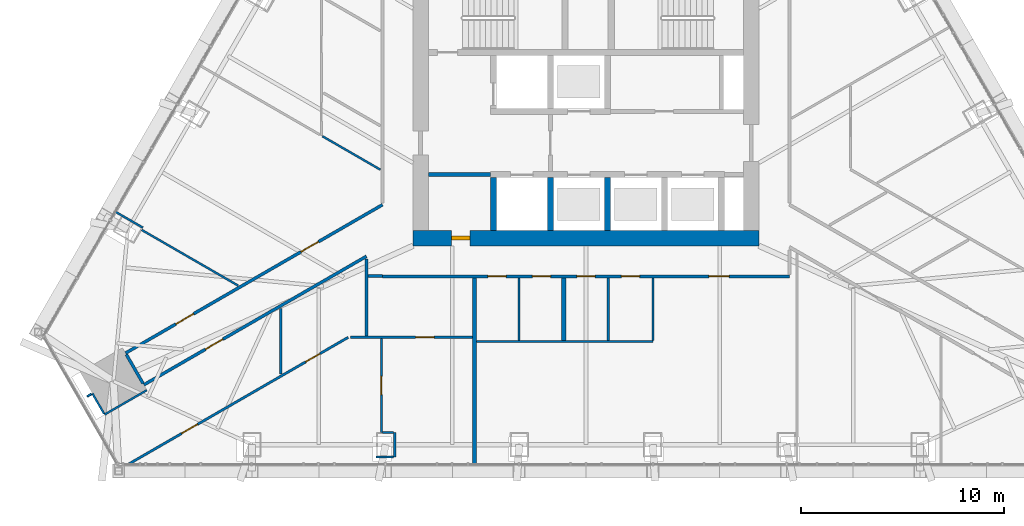
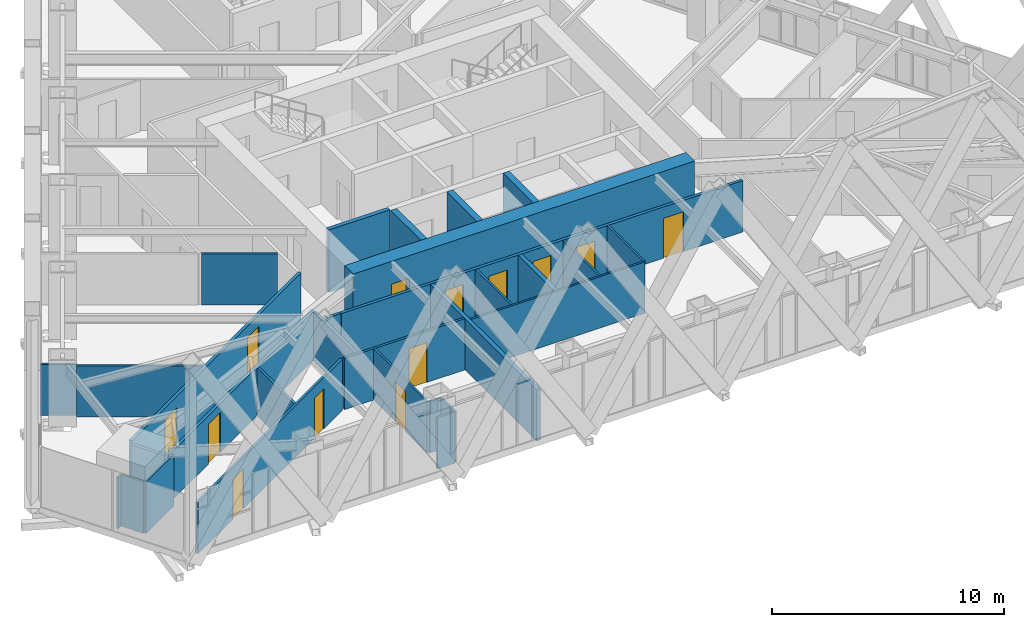
# One storey, part 20 of 25: 30 walls, 13 doors, 13 openings.
"""IFC4 building model written with IfcOpenShell, lengths in metres."""

from ifc_helpers import new_model, si_unit, direction, frame, frame_2d, origin, place, context, subcontext, project, spatial, rectangle, extrude, material, layer, layer_set, type_object, element, fill, save


model = new_model("IFC4")

# Units and contexts
model_context = context("Model", 3, precision=1e-05, world=origin(), true_north=direction((0.0, 1.0)))
body_context = subcontext(model_context, "Body", "Model", "MODEL_VIEW")
ifc_project = project(units=[si_unit("LENGTHUNIT", "METRE"), si_unit("AREAUNIT", "SQUARE_METRE"), si_unit("VOLUMEUNIT", "CUBIC_METRE"), si_unit("PLANEANGLEUNIT", "RADIAN"), si_unit("MASSUNIT", "GRAM", prefix="KILO")], contexts=[model_context])

# Site, building, storey
site_placement = place(None, origin())
site = spatial("IfcSite", under=ifc_project, at=site_placement, CompositionType="ELEMENT")
building_placement = place(site_placement, origin())
building = spatial("IfcBuilding", under=site, at=building_placement, Name="Firuza Gate Tower and Library", CompositionType="ELEMENT")
storey_placement = place(building_placement, frame((0.0, 0.0, 270.60009765625)))
storey = spatial("IfcBuildingStorey", under=building, at=storey_placement, Name="L64", CompositionType="ELEMENT", Elevation=270.60009765625)

# Walls
ifc_material_1 = material(Name="Plasterboard on steel studs", Category="steel")
ifc_layer_1 = layer(ifc_material_1, 0.199951171875)
ifc_layer_set_1 = layer_set([ifc_layer_1], Name="Core partition 200 EI 60")
wall_type_1 = type_object("IfcWallType", Name="Core partition 200 EI 60", PredefinedType="PARTITIONING", material=ifc_layer_set_1)
wall_1_placement = place(storey_placement, frame((67.25, 71.75, 0.0), z_axis=(0.0, 0.0, 1.0), x_axis=(1.0, 0.0, 0.0)))
element("IfcWall", 1, at=wall_1_placement, inside=storey, type_object=wall_type_1, Name="Core partition L64 1", PredefinedType="PARTITIONING", context=body_context, shape_type="SweptSolid", body=[
    extrude(rectangle(XDim=3.050048828125, YDim=0.199951171875, at=frame_2d((1.52490234375, 0.0))), origin(), (0.0, 0.0, 1.0), 3.2998046875),
])
ifc_material_2 = material(Name="Concrete C60/75", Category="concrete")
ifc_layer_2 = layer(ifc_material_2, 0.300048828125)
ifc_layer_set_2 = layer_set([ifc_layer_2], Name="Core wall 300 C60/75")
wall_type_2 = type_object("IfcWallType", Name="Core wall 300 C60/75", PredefinedType="SHEAR", material=ifc_layer_set_2)
for number, where, z_axis, x_axis, name in (
    (2, (70.449951171875, 69.0, 0.0), (0.0, 0.0, 1.0), (0.0, 1.0, 0.0), "Core wall L64 7"),
    (3, (73.25, 69.0, 0.0), (0.0, 0.0, 1.0), (0.0, 1.0, 0.0), "Core wall L64 9"),
    (4, (76.050048828125, 69.0, 0.0), (0.0, 0.0, 1.0), (0.0, 1.0, 0.0), "Core wall L64 11"),
):
    element("IfcWall", number, at=place(storey_placement, frame(where, z_axis=z_axis, x_axis=x_axis)), inside=storey, type_object=wall_type_2, Name=name, PredefinedType="SHEAR", context=body_context, shape_type="SweptSolid", body=[
        extrude(rectangle(XDim=2.60009765625, YDim=0.300048828125, at=frame_2d((1.300048828125, 0.0))), origin(), (0.0, 0.0, 1.0), 3.2998046875),
    ])

# Wall, opening, door
ifc_material_3 = material(Name="Concrete C60/75", Category="concrete")
ifc_layer_3 = layer(ifc_material_3, 0.75)
ifc_layer_set_3 = layer_set([ifc_layer_3], Name="Core wall 750 C60/75")
wall_type_3 = type_object("IfcWallType", Name="Core wall 750 C60/75", PredefinedType="SHEAR", material=ifc_layer_set_3)
wall_2_placement = place(storey_placement, frame((66.5, 68.625, 0.0), z_axis=(0.0, 0.0, 1.0), x_axis=(1.0, 0.0, 0.0)))
wall_2 = element("IfcWall", 5, at=wall_2_placement, inside=storey, type_object=wall_type_3, Name="Core wall L64 1", PredefinedType="SHEAR", context=body_context, shape_type="SweptSolid", body=[
    extrude(rectangle(XDim=17.0, YDim=0.75, at=frame_2d((8.5, 0.0))), origin(), (0.0, 0.0, 1.0), 3.2998046875),
])
opening_1_placement = place(wall_2_placement, frame((1.89990234375, 0.0, 0.0)))
opening_1 = element("IfcOpeningElement", 6, at=opening_1_placement, cuts=wall_2, Name="Opening L64-K17", PredefinedType="OPENING", context=body_context, shape_type="SweptSolid", body=[
    extrude(rectangle(XDim=0.89990234375, YDim=2.10009765625, at=frame_2d((0.449951171875, 1.050048828125))), frame((0.0, 0.385009765625, 0.0), z_axis=(0.0, -1.0, 0.0), x_axis=(1.0, 0.0, 0.0)), (0.0, 0.0, 1.0), 0.77001953125),
])
ifc_material_4 = material(Name="Steel", Category="steel")
door_type_1 = type_object("IfcDoorType", Name="Fire door 900x2100 FD30S", OperationType="NOTDEFINED", PredefinedType="DOOR", material=ifc_material_4)
door_1_placement = place(opening_1_placement, origin())
door_1 = element("IfcDoor", 7, at=door_1_placement, inside=storey, type_object=door_type_1, Name="Door L64-K17", OperationType="SINGLE_SWING_RIGHT", OverallHeight=2.10009765625, OverallWidth=0.89990234375, PredefinedType="DOOR", context=body_context, shape_type="SweptSolid", body=[
    extrude(rectangle(XDim=0.89990234375, YDim=2.10009765625, at=frame_2d((0.449951171875, 1.050048828125))), frame((0.0, 0.094970703125, 0.0), z_axis=(0.0, -1.0, 0.0), x_axis=(1.0, 0.0, 0.0)), (0.0, 0.0, 1.0), 0.18994140625),
])
fill(opening_1, door_1)

# Wall, openings, doors
ifc_material_5 = material(Name="Gypsum board partition")
ifc_layer_4 = layer(ifc_material_5, 0.14990234375)
ifc_layer_set_4 = layer_set([ifc_layer_4], Name="Corridor wall 150 double board on steel studs")
wall_type_4 = type_object("IfcWallType", Name="Corridor wall 150 double board on steel studs", PredefinedType="PARTITIONING", material=ifc_layer_set_4)
wall_3_placement = place(storey_placement, frame((84.99951171875, 66.75, 0.0), z_axis=(0.0, 0.0, 1.0), x_axis=(-1.0, 0.0, 0.0)))
wall_3 = element("IfcWall", 8, at=wall_3_placement, inside=storey, type_object=wall_type_4, Name="f:L64:w004", PredefinedType="PARTITIONING", context=body_context, shape_type="SweptSolid", body=[
    extrude(rectangle(XDim=19.9990234375, YDim=0.14990234375, at=frame_2d((9.99951171875, 0.0))), origin(), (0.0, 0.0, 1.0), 2.699951171875),
])
opening_2_placement = place(wall_3_placement, frame((2.9599609375, 0.0, 0.0)))
opening_2 = element("IfcOpeningElement", 9, at=opening_2_placement, cuts=wall_3, Name="Opening L64-02", PredefinedType="OPENING", context=body_context, shape_type="SweptSolid", body=[
    extrude(rectangle(XDim=1.0, YDim=2.10009765625, at=frame_2d((0.5, 1.050048828125))), frame((0.0, 0.0849609375, 0.0), z_axis=(0.0, -1.0, 0.0), x_axis=(1.0, 0.0, 0.0)), (0.0, 0.0, 1.0), 0.169921875),
])
opening_3_placement = place(wall_3_placement, frame((7.361083984375, 0.0, 0.0)))
opening_3 = element("IfcOpeningElement", 10, at=opening_3_placement, cuts=wall_3, Name="Opening L64-03", PredefinedType="OPENING", context=body_context, shape_type="SweptSolid", body=[
    extrude(rectangle(XDim=0.89990234375, YDim=2.10009765625, at=frame_2d((0.449951171875, 1.050048828125))), frame((0.0, 0.0849609375, 0.0), z_axis=(0.0, -1.0, 0.0), x_axis=(1.0, 0.0, 0.0)), (0.0, 0.0, 1.0), 0.169921875),
])
opening_4_placement = place(wall_3_placement, frame((9.549560546875, 0.0, 0.0)))
opening_4 = element("IfcOpeningElement", 11, at=opening_4_placement, cuts=wall_3, Name="Opening L64-04", PredefinedType="OPENING", context=body_context, shape_type="SweptSolid", body=[
    extrude(rectangle(XDim=0.89990234375, YDim=2.10009765625, at=frame_2d((0.449951171875, 1.050048828125))), frame((0.0, 0.0849609375, 0.0), z_axis=(0.0, -1.0, 0.0), x_axis=(1.0, 0.0, 0.0)), (0.0, 0.0, 1.0), 0.169921875),
])
opening_5_placement = place(wall_3_placement, frame((11.738037109375, 0.0, 0.0)))
opening_5 = element("IfcOpeningElement", 12, at=opening_5_placement, cuts=wall_3, Name="Opening L64-05", PredefinedType="OPENING", context=body_context, shape_type="SweptSolid", body=[
    extrude(rectangle(XDim=0.89990234375, YDim=2.10009765625, at=frame_2d((0.449951171875, 1.050048828125))), frame((0.0, 0.0849609375, 0.0), z_axis=(0.0, -1.0, 0.0), x_axis=(1.0, 0.0, 0.0)), (0.0, 0.0, 1.0), 0.169921875),
])
opening_6_placement = place(wall_3_placement, frame((13.92626953125, 0.0, 0.0)))
opening_6 = element("IfcOpeningElement", 13, at=opening_6_placement, cuts=wall_3, Name="Opening L64-06", PredefinedType="OPENING", context=body_context, shape_type="SweptSolid", body=[
    extrude(rectangle(XDim=0.89990234375, YDim=2.10009765625, at=frame_2d((0.449951171875, 1.050048828125))), frame((0.0, 0.0849609375, 0.0), z_axis=(0.0, -1.0, 0.0), x_axis=(1.0, 0.0, 0.0)), (0.0, 0.0, 1.0), 0.169921875),
])
ifc_material_6 = material(Name="Steel door and timber leaf", Category="steel")
door_type_2 = type_object("IfcDoorType", Name="Fire door 1000 x 2100 steel frame, timber leaf", OperationType="NOTDEFINED", PredefinedType="DOOR", material=ifc_material_6)
door_2_placement = place(opening_2_placement, origin())
door_2 = element("IfcDoor", 14, at=door_2_placement, inside=storey, type_object=door_type_2, Name="f:L64:d002", OperationType="SINGLE_SWING_LEFT", OverallHeight=2.10009765625, OverallWidth=1.0, PredefinedType="DOOR", context=body_context, shape_type="SweptSolid", body=[
    extrude(rectangle(XDim=1.0, YDim=2.10009765625, at=frame_2d((0.5, 1.050048828125))), frame((0.0, 0.02490234375, 0.0), z_axis=(0.0, -1.0, 0.0), x_axis=(1.0, 0.0, 0.0)), (0.0, 0.0, 1.0), 0.050048828125),
])
fill(opening_2, door_2)
ifc_material_7 = material(Name="Steel door and timber leaf", Category="steel")
door_type_3 = type_object("IfcDoorType", Name="Fire door 900 x 2100 steel frame, timber leaf", OperationType="NOTDEFINED", PredefinedType="DOOR", material=ifc_material_7)
door_3_placement = place(opening_3_placement, origin())
door_3 = element("IfcDoor", 15, at=door_3_placement, inside=storey, type_object=door_type_3, Name="f:L64:d003", OperationType="SINGLE_SWING_RIGHT", OverallHeight=2.10009765625, OverallWidth=0.89990234375, PredefinedType="DOOR", context=body_context, shape_type="SweptSolid", body=[
    extrude(rectangle(XDim=0.89990234375, YDim=2.10009765625, at=frame_2d((0.449951171875, 1.050048828125))), frame((0.0, 0.02490234375, 0.0), z_axis=(0.0, -1.0, 0.0), x_axis=(1.0, 0.0, 0.0)), (0.0, 0.0, 1.0), 0.050048828125),
])
fill(opening_3, door_3)
door_4_placement = place(opening_4_placement, origin())
door_4 = element("IfcDoor", 16, at=door_4_placement, inside=storey, type_object=door_type_3, Name="f:L64:d004", OperationType="SINGLE_SWING_LEFT", OverallHeight=2.10009765625, OverallWidth=0.89990234375, PredefinedType="DOOR", context=body_context, shape_type="SweptSolid", body=[
    extrude(rectangle(XDim=0.89990234375, YDim=2.10009765625, at=frame_2d((0.449951171875, 1.050048828125))), frame((0.0, 0.02490234375, 0.0), z_axis=(0.0, -1.0, 0.0), x_axis=(1.0, 0.0, 0.0)), (0.0, 0.0, 1.0), 0.050048828125),
])
fill(opening_4, door_4)
door_5_placement = place(opening_5_placement, origin())
door_5 = element("IfcDoor", 17, at=door_5_placement, inside=storey, type_object=door_type_3, Name="f:L64:d005", OperationType="SINGLE_SWING_RIGHT", OverallHeight=2.10009765625, OverallWidth=0.89990234375, PredefinedType="DOOR", context=body_context, shape_type="SweptSolid", body=[
    extrude(rectangle(XDim=0.89990234375, YDim=2.10009765625, at=frame_2d((0.449951171875, 1.050048828125))), frame((0.0, 0.02490234375, 0.0), z_axis=(0.0, -1.0, 0.0), x_axis=(1.0, 0.0, 0.0)), (0.0, 0.0, 1.0), 0.050048828125),
])
fill(opening_5, door_5)
door_6_placement = place(opening_6_placement, origin())
door_6 = element("IfcDoor", 18, at=door_6_placement, inside=storey, type_object=door_type_3, Name="f:L64:d006", OperationType="SINGLE_SWING_LEFT", OverallHeight=2.10009765625, OverallWidth=0.89990234375, PredefinedType="DOOR", context=body_context, shape_type="SweptSolid", body=[
    extrude(rectangle(XDim=0.89990234375, YDim=2.10009765625, at=frame_2d((0.449951171875, 1.050048828125))), frame((0.0, 0.02490234375, 0.0), z_axis=(0.0, -1.0, 0.0), x_axis=(1.0, 0.0, 0.0)), (0.0, 0.0, 1.0), 0.050048828125),
])
fill(opening_6, door_6)

# Wall
wall_4_placement = place(storey_placement, frame((64.294921875, 66.76904296875, 0.0), z_axis=(0.0, 0.0, 1.0), x_axis=(1.0, 0.0, 0.0)))
element("IfcWall", 19, at=wall_4_placement, inside=storey, type_object=wall_type_4, Name="f:L64:w005", PredefinedType="PARTITIONING", context=body_context, shape_type="SweptSolid", body=[
    extrude(rectangle(XDim=0.705078125, YDim=0.14990234375, at=frame_2d((0.3525390625, 0.0))), origin(), (0.0, 0.0, 1.0), 2.699951171875),
])

# Wall, opening, door
wall_5_placement = place(storey_placement, frame((64.209716796875, 67.731201171875, 0.0), z_axis=(0.0, 0.0, 1.0), x_axis=(-0.866027247007, -0.499996807431, 0.0)))
wall_5 = element("IfcWall", 20, at=wall_5_placement, inside=storey, type_object=wall_type_4, Name="f:L64:w021", PredefinedType="PARTITIONING", context=body_context, shape_type="SweptSolid", body=[
    extrude(rectangle(XDim=12.6328125, YDim=0.14990234375, at=frame_2d((6.31640625, 0.0))), origin(), (0.0, 0.0, 1.0), 2.546875),
])
opening_7_placement = place(wall_5_placement, frame((8.142578125, 0.0, 0.0)))
opening_7 = element("IfcOpeningElement", 21, at=opening_7_placement, cuts=wall_5, Name="Opening L64-15", PredefinedType="OPENING", context=body_context, shape_type="SweptSolid", body=[
    extrude(rectangle(XDim=1.0, YDim=2.10009765625, at=frame_2d((0.5, 1.050048828125))), frame((0.0, 0.0849609375, 0.0), z_axis=(0.0, -1.0, 0.0), x_axis=(1.0, 0.0, 0.0)), (0.0, 0.0, 1.0), 0.169921875),
])
door_7_placement = place(opening_7_placement, origin())
door_7 = element("IfcDoor", 22, at=door_7_placement, inside=storey, type_object=door_type_2, Name="f:L64:d015", OperationType="SINGLE_SWING_LEFT", OverallHeight=2.10009765625, OverallWidth=1.0, PredefinedType="DOOR", context=body_context, shape_type="SweptSolid", body=[
    extrude(rectangle(XDim=1.0, YDim=2.10009765625, at=frame_2d((0.5, 1.050048828125))), frame((0.0, 0.02490234375, 0.0), z_axis=(0.0, -1.0, 0.0), x_axis=(1.0, 0.0, 0.0)), (0.0, 0.0, 1.0), 0.050048828125),
])
fill(opening_7, door_7)

# Wall, openings, doors
wall_6_placement = place(storey_placement, frame((52.369873046875, 62.973876953125, 0.0), z_axis=(0.0, 0.0, 1.0), x_axis=(0.866025849409, 0.499999228155, 0.0)))
wall_6 = element("IfcWall", 23, at=wall_6_placement, inside=storey, type_object=wall_type_4, Name="f:L64:w023", PredefinedType="PARTITIONING", context=body_context, shape_type="SweptSolid", body=[
    extrude(rectangle(XDim=14.583984375, YDim=0.14990234375, at=frame_2d((7.2919921875, 0.0))), origin(), (0.0, 0.0, 1.0), 2.699951171875),
])
opening_8_placement = place(wall_6_placement, frame((2.8583984375, 0.0, 0.0)))
opening_8 = element("IfcOpeningElement", 24, at=opening_8_placement, cuts=wall_6, Name="Opening L64-16", PredefinedType="OPENING", context=body_context, shape_type="SweptSolid", body=[
    extrude(rectangle(XDim=1.0, YDim=2.10009765625, at=frame_2d((0.5, 1.050048828125))), frame((0.0, 0.0849609375, 0.0), z_axis=(0.0, -1.0, 0.0), x_axis=(1.0, 0.0, 0.0)), (0.0, 0.0, 1.0), 0.169921875),
])
opening_9_placement = place(wall_6_placement, frame((9.947021484375, 0.0, 0.0)))
opening_9 = element("IfcOpeningElement", 25, at=opening_9_placement, cuts=wall_6, Name="Opening L64-17", PredefinedType="OPENING", context=body_context, shape_type="SweptSolid", body=[
    extrude(rectangle(XDim=1.0, YDim=2.10009765625, at=frame_2d((0.5, 1.050048828125))), frame((0.0, 0.0849609375, 0.0), z_axis=(0.0, -1.0, 0.0), x_axis=(1.0, 0.0, 0.0)), (0.0, 0.0, 1.0), 0.169921875),
])
door_8_placement = place(opening_8_placement, origin())
door_8 = element("IfcDoor", 26, at=door_8_placement, inside=storey, type_object=door_type_2, Name="f:L64:d016", OperationType="SINGLE_SWING_LEFT", OverallHeight=2.10009765625, OverallWidth=1.0, PredefinedType="DOOR", context=body_context, shape_type="SweptSolid", body=[
    extrude(rectangle(XDim=1.0, YDim=2.10009765625, at=frame_2d((0.5, 1.050048828125))), frame((0.0, 0.02490234375, 0.0), z_axis=(0.0, -1.0, 0.0), x_axis=(1.0, 0.0, 0.0)), (0.0, 0.0, 1.0), 0.050048828125),
])
fill(opening_8, door_8)
door_9_placement = place(opening_9_placement, origin())
door_9 = element("IfcDoor", 27, at=door_9_placement, inside=storey, type_object=door_type_2, Name="f:L64:d017", OperationType="SINGLE_SWING_RIGHT", OverallHeight=2.10009765625, OverallWidth=1.0, PredefinedType="DOOR", context=body_context, shape_type="SweptSolid", body=[
    extrude(rectangle(XDim=1.0, YDim=2.10009765625, at=frame_2d((0.5, 1.050048828125))), frame((0.0, 0.02490234375, 0.0), z_axis=(0.0, -1.0, 0.0), x_axis=(1.0, 0.0, 0.0)), (0.0, 0.0, 1.0), 0.050048828125),
])
fill(opening_9, door_9)

# Walls
wall_7_placement = place(storey_placement, frame((64.2099609375, 63.81005859375, 0.0), z_axis=(0.0, 0.0, 1.0), x_axis=(0.0, 1.0, 0.0)))
element("IfcWall", 28, at=wall_7_placement, inside=storey, type_object=wall_type_4, Name="f:L64:w049", PredefinedType="PARTITIONING", context=body_context, shape_type="SweptSolid", body=[
    extrude(rectangle(XDim=3.784423828125, YDim=0.14990234375, at=frame_2d((1.89208984375, 0.0))), origin(), (0.0, 0.0, 1.0), 2.546875),
])
wall_8_placement = place(storey_placement, frame((53.229248046875, 61.484375, 0.0), z_axis=(0.0, 0.0, 1.0), x_axis=(-0.500052415518, 0.865995139556, 0.0)))
element("IfcWall", 29, at=wall_8_placement, inside=storey, type_object=wall_type_4, Name="f:L64:w052", PredefinedType="PARTITIONING", context=body_context, shape_type="SweptSolid", body=[
    extrude(rectangle(XDim=1.643798828125, YDim=0.14990234375, at=frame_2d((0.82177734375, 0.0))), origin(), (0.0, 0.0, 1.0), 2.546875),
])
ifc_material_8 = material(Name="Gypsum board partition")
ifc_layer_5 = layer(ifc_material_8, 0.199951171875)
ifc_layer_set_5 = layer_set([ifc_layer_5], Name="Demising wall 200 acoustic double stud")
wall_type_5 = type_object("IfcWallType", Name="Demising wall 200 acoustic double stud", PredefinedType="PARTITIONING", material=ifc_layer_set_5)
wall_9_placement = place(storey_placement, frame((73.906005859375, 63.60009765625, 0.0), z_axis=(0.0, 0.0, 1.0), x_axis=(0.0, 1.0, 0.0)))
element("IfcWall", 30, at=wall_9_placement, inside=storey, type_object=wall_type_5, Name="f:L64:w041", PredefinedType="PARTITIONING", context=body_context, shape_type="SweptSolid", body=[
    extrude(rectangle(XDim=3.074951171875, YDim=0.199951171875, at=frame_2d((1.53759765625, 0.0))), origin(), (0.0, 0.0, 1.0), 2.699951171875),
])
wall_10_placement = place(storey_placement, frame((69.529052734375, 57.516357421875, 0.0), z_axis=(0.0, 0.0, 1.0), x_axis=(0.0, 1.0, 0.0)))
element("IfcWall", 31, at=wall_10_placement, inside=storey, type_object=wall_type_5, Name="f:L64:w045", PredefinedType="PARTITIONING", context=body_context, shape_type="SweptSolid", body=[
    extrude(rectangle(XDim=9.15869140625, YDim=0.199951171875, at=frame_2d((4.579345703125, 0.0))), origin(), (0.0, 0.0, 1.0), 2.68798828125),
])
ifc_material_9 = material(Name="Gypsum board partition")
ifc_layer_6 = layer(ifc_material_9, 0.10009765625)
ifc_layer_set_6 = layer_set([ifc_layer_6], Name="Partition 100 gypsum board on steel studs")
wall_type_6 = type_object("IfcWallType", Name="Partition 100 gypsum board on steel studs", PredefinedType="PARTITIONING", material=ifc_layer_set_6)
wall_11_placement = place(storey_placement, frame((64.670166015625, 57.8759765625, 0.0), z_axis=(0.0, 0.0, 1.0), x_axis=(1.0, 0.0, 0.0)))
element("IfcWall", 32, at=wall_11_placement, inside=storey, type_object=wall_type_6, Name="f:L64:w000", PredefinedType="PARTITIONING", context=body_context, shape_type="SweptSolid", body=[
    extrude(rectangle(XDim=0.874755859375, YDim=0.10009765625, at=frame_2d((0.4375, 0.0))), origin(), (0.0, 0.0, 1.0), 2.699951171875),
])
wall_12_placement = place(storey_placement, frame((64.990234375, 59.075927734375, 0.0), z_axis=(0.0, 0.0, 1.0), x_axis=(1.0, 0.0, 0.0)))
element("IfcWall", 33, at=wall_12_placement, inside=storey, type_object=wall_type_6, Name="f:L64:w001", PredefinedType="PARTITIONING", context=body_context, shape_type="SweptSolid", body=[
    extrude(rectangle(XDim=0.561767578125, YDim=0.10009765625, at=frame_2d((0.28076171875, 0.0))), origin(), (0.0, 0.0, 1.0), 2.699951171875),
])
wall_13_placement = place(storey_placement, frame((69.62939453125, 63.550048828125, 0.0), z_axis=(0.0, 0.0, 1.0), x_axis=(1.0, 0.0, 0.0)))
element("IfcWall", 34, at=wall_13_placement, inside=storey, type_object=wall_type_6, Name="f:L64:w002", PredefinedType="PARTITIONING", context=body_context, shape_type="SweptSolid", body=[
    extrude(rectangle(XDim=8.65283203125, YDim=0.10009765625, at=frame_2d((4.326416015625, 0.0))), origin(), (0.0, 0.0, 1.0), 2.699951171875),
])
wall_14_placement = place(storey_placement, frame((51.34130859375, 59.955078125, 0.0), z_axis=(0.0, 0.0, 1.0), x_axis=(0.866036455013, 0.499980858223, 0.0)))
element("IfcWall", 35, at=wall_14_placement, inside=storey, type_object=wall_type_6, Name="f:L64:w020", PredefinedType="PARTITIONING", context=body_context, shape_type="SweptSolid", body=[
    extrude(rectangle(XDim=2.39892578125, YDim=0.10009765625, at=frame_2d((1.199462890625, 0.0))), origin(), (0.0, 0.0, 1.0), 2.699951171875),
])
wall_15_placement = place(storey_placement, frame((50.481201171875, 60.84423828125, 0.0), z_axis=(0.0, 0.0, 1.0), x_axis=(0.866429964967, 0.499298623879, 0.0)))
element("IfcWall", 36, at=wall_15_placement, inside=storey, type_object=wall_type_6, Name="f:L64:w022", PredefinedType="PARTITIONING", context=body_context, shape_type="SweptSolid", body=[
    extrude(rectangle(XDim=0.249267578125, YDim=0.10009765625, at=frame_2d((0.12451171875, 0.0))), origin(), (0.0, 0.0, 1.0), 2.699951171875),
])
wall_16_placement = place(storey_placement, frame((78.282958984375, 63.6005859375, 0.0), z_axis=(0.0, 0.0, 1.0), x_axis=(0.0, 1.0, 0.0)))
element("IfcWall", 37, at=wall_16_placement, inside=storey, type_object=wall_type_6, Name="f:L64:w034", PredefinedType="PARTITIONING", context=body_context, shape_type="SweptSolid", body=[
    extrude(rectangle(XDim=3.074462890625, YDim=0.10009765625, at=frame_2d((1.537109375, 0.0))), origin(), (0.0, 0.0, 1.0), 2.699951171875),
])
for number, where, z_axis, x_axis, name in (
    (38, (76.093994140625, 63.60009765625, 0.0), (0.0, 0.0, 1.0), (0.0, 1.0, 0.0), "f:L64:w037"),
    (39, (71.717041015625, 63.60009765625, 0.0), (0.0, 0.0, 1.0), (0.0, 1.0, 0.0), "f:L64:w043"),
):
    element("IfcWall", number, at=place(storey_placement, frame(where, z_axis=z_axis, x_axis=x_axis)), inside=storey, type_object=wall_type_6, Name=name, PredefinedType="PARTITIONING", context=body_context, shape_type="SweptSolid", body=[
        extrude(rectangle(XDim=3.074951171875, YDim=0.10009765625, at=frame_2d((1.53759765625, 0.0))), origin(), (0.0, 0.0, 1.0), 2.699951171875),
    ])
wall_17_placement = place(storey_placement, frame((65.60205078125, 57.876220703125, 0.0), z_axis=(0.0, 0.0, 1.0), x_axis=(0.0, 1.0, 0.0)))
element("IfcWall", 40, at=wall_17_placement, inside=storey, type_object=wall_type_6, Name="f:L64:w046", PredefinedType="PARTITIONING", context=body_context, shape_type="SweptSolid", body=[
    extrude(rectangle(XDim=1.2001953125, YDim=0.10009765625, at=frame_2d((0.60009765625, 0.0))), origin(), (0.0, 0.0, 1.0), 2.68798828125),
])

# Wall, opening, door
wall_18_placement = place(storey_placement, frame((64.93994140625, 63.68994140625, 0.0), z_axis=(0.0, 0.0, 1.0), x_axis=(0.0, -1.0, 0.0)))
wall_18 = element("IfcWall", 41, at=wall_18_placement, inside=storey, type_object=wall_type_6, Name="f:L64:w048", PredefinedType="PARTITIONING", context=body_context, shape_type="SweptSolid", body=[
    extrude(rectangle(XDim=4.613525390625, YDim=0.10009765625, at=frame_2d((2.306640625, 0.0))), origin(), (0.0, 0.0, 1.0), 2.699951171875),
])
opening_10_placement = place(wall_18_placement, frame((1.85693359375, 0.0, 0.0)))
opening_10 = element("IfcOpeningElement", 42, at=opening_10_placement, cuts=wall_18, Name="Opening L64-19", PredefinedType="OPENING", context=body_context, shape_type="SweptSolid", body=[
    extrude(rectangle(XDim=0.89990234375, YDim=2.10009765625, at=frame_2d((0.449951171875, 1.050048828125))), frame((0.0, 0.06005859375, 0.0), z_axis=(0.0, -1.0, 0.0), x_axis=(1.0, 0.0, 0.0)), (0.0, 0.0, 1.0), 0.1201171875),
])
ifc_material_10 = material(Name="Timber door", Category="wood")
door_type_4 = type_object("IfcDoorType", Name="Door 900 x 2100 timber leaf", OperationType="NOTDEFINED", PredefinedType="DOOR", material=ifc_material_10)
door_10_placement = place(opening_10_placement, origin())
door_10 = element("IfcDoor", 43, at=door_10_placement, inside=storey, type_object=door_type_4, Name="f:L64:d019", OperationType="SINGLE_SWING_RIGHT", OverallHeight=2.10009765625, OverallWidth=0.89990234375, PredefinedType="DOOR", context=body_context, shape_type="SweptSolid", body=[
    extrude(rectangle(XDim=0.89990234375, YDim=2.10009765625, at=frame_2d((0.449951171875, 1.050048828125))), frame((0.0, 0.02490234375, 0.0), z_axis=(0.0, -1.0, 0.0), x_axis=(1.0, 0.0, 0.0)), (0.0, 0.0, 1.0), 0.050048828125),
])
fill(opening_10, door_10)

# Walls
wall_19_placement = place(storey_placement, frame((51.315673828125, 59.99853515625, 0.0), z_axis=(0.0, 0.0, 1.0), x_axis=(-0.499955427682, 0.866051136095, 0.0)))
element("IfcWall", 44, at=wall_19_placement, inside=storey, type_object=wall_type_6, Name="f:L64:w053", PredefinedType="PARTITIONING", context=body_context, shape_type="SweptSolid", body=[
    extrude(rectangle(XDim=1.14892578125, YDim=0.10009765625, at=frame_2d((0.574462890625, 0.0))), origin(), (0.0, 0.0, 1.0), 2.699951171875),
])
wall_20_placement = place(storey_placement, frame((64.89892578125, 71.987060546875, 0.0), z_axis=(0.0, 0.0, 1.0), x_axis=(-0.866032610133, 0.499987518031, 0.0)))
element("IfcWall", 45, at=wall_20_placement, inside=storey, type_object=wall_type_6, Name="f:L64:w062", PredefinedType="PARTITIONING", context=body_context, shape_type="SweptSolid", body=[
    extrude(rectangle(XDim=3.29541015625, YDim=0.10009765625, at=frame_2d((1.647705078125, 0.0))), origin(), (0.0, 0.0, 1.0), 2.699951171875),
])
wall_21_placement = place(storey_placement, frame((53.227783203125, 69.1376953125, 0.0), z_axis=(0.0, 0.0, 1.0), x_axis=(-0.866018739521, 0.500011542666, 0.0)))
element("IfcWall", 46, at=wall_21_placement, inside=storey, type_object=wall_type_6, Name="f:L64:w063", PredefinedType="PARTITIONING", context=body_context, shape_type="SweptSolid", body=[
    extrude(rectangle(XDim=1.5595703125, YDim=0.10009765625, at=frame_2d((0.77978515625, 0.0))), origin(), (0.0, 0.0, 1.0), 2.699951171875),
])
wall_22_placement = place(storey_placement, frame((57.909912109375, 66.2890625, 0.0), z_axis=(0.0, 0.0, 1.0), x_axis=(-0.866026762963, 0.499997645826, 0.0)))
element("IfcWall", 47, at=wall_22_placement, inside=storey, type_object=wall_type_6, Name="f:L64:w064", PredefinedType="PARTITIONING", context=body_context, shape_type="SweptSolid", body=[
    extrude(rectangle(XDim=5.47802734375, YDim=0.10009765625, at=frame_2d((2.739013671875, 0.0))), origin(), (0.0, 0.0, 1.0), 2.699951171875),
])

# Wall, opening, door
ifc_material_11 = material(Name="Gypsum board partition")
ifc_layer_7 = layer(ifc_material_11, 0.1201171875)
ifc_layer_set_7 = layer_set([ifc_layer_7], Name="Wet-area partition 120 moisture-resistant board")
wall_type_7 = type_object("IfcWallType", Name="Wet-area partition 120 moisture-resistant board", PredefinedType="PARTITIONING", material=ifc_layer_set_7)
wall_23_placement = place(storey_placement, frame((63.434326171875, 63.75, 0.0), z_axis=(0.0, 0.0, 1.0), x_axis=(1.0, 0.0, 0.0)))
wall_23 = element("IfcWall", 48, at=wall_23_placement, inside=storey, type_object=wall_type_7, Name="f:L64:w003", PredefinedType="PARTITIONING", context=body_context, shape_type="SweptSolid", body=[
    extrude(rectangle(XDim=5.99462890625, YDim=0.1201171875, at=frame_2d((2.997314453125, 0.0))), origin(), (0.0, 0.0, 1.0), 2.699951171875),
])
opening_11_placement = place(wall_23_placement, frame((3.19873046875, 0.0, 0.0)))
opening_11 = element("IfcOpeningElement", 49, at=opening_11_placement, cuts=wall_23, Name="Opening L64-01", PredefinedType="OPENING", context=body_context, shape_type="SweptSolid", body=[
    extrude(rectangle(XDim=0.89990234375, YDim=2.10009765625, at=frame_2d((0.449951171875, 1.050048828125))), frame((0.0, 0.070068359375, 0.0), z_axis=(0.0, -1.0, 0.0), x_axis=(1.0, 0.0, 0.0)), (0.0, 0.0, 1.0), 0.14013671875),
])
door_11_placement = place(opening_11_placement, origin())
door_11 = element("IfcDoor", 50, at=door_11_placement, inside=storey, type_object=door_type_4, Name="f:L64:d001", OperationType="SINGLE_SWING_LEFT", OverallHeight=2.10009765625, OverallWidth=0.89990234375, PredefinedType="DOOR", context=body_context, shape_type="SweptSolid", body=[
    extrude(rectangle(XDim=0.89990234375, YDim=2.10009765625, at=frame_2d((0.449951171875, 1.050048828125))), frame((0.0, 0.02490234375, 0.0), z_axis=(0.0, -1.0, 0.0), x_axis=(1.0, 0.0, 0.0)), (0.0, 0.0, 1.0), 0.050048828125),
])
fill(opening_11, door_11)

# Wall, openings, doors
wall_24_placement = place(storey_placement, frame((52.517333984375, 57.516357421875, 0.0), z_axis=(0.0, 0.0, 1.0), x_axis=(0.866028080334, 0.499995364051, 0.0)))
wall_24 = element("IfcWall", 51, at=wall_24_placement, inside=storey, type_object=wall_type_7, Name="f:L64:w019", PredefinedType="PARTITIONING", context=body_context, shape_type="SweptSolid", body=[
    extrude(rectangle(XDim=12.46728515625, YDim=0.1201171875, at=frame_2d((6.233642578125, 0.0))), origin(), (0.0, 0.0, 1.0), 2.699951171875),
])
opening_12_placement = place(wall_24_placement, frame((3.019287109375, 0.0, 0.0)))
opening_12 = element("IfcOpeningElement", 52, at=opening_12_placement, cuts=wall_24, Name="Opening L64-13", PredefinedType="OPENING", context=body_context, shape_type="SweptSolid", body=[
    extrude(rectangle(XDim=0.89990234375, YDim=2.10009765625, at=frame_2d((0.449951171875, 1.050048828125))), frame((0.0, 0.070068359375, 0.0), z_axis=(0.0, -1.0, 0.0), x_axis=(1.0, 0.0, 0.0)), (0.0, 0.0, 1.0), 0.14013671875),
])
opening_13_placement = place(wall_24_placement, frame((10.056884765625, 0.0, 0.0)))
opening_13 = element("IfcOpeningElement", 53, at=opening_13_placement, cuts=wall_24, Name="Opening L64-14", PredefinedType="OPENING", context=body_context, shape_type="SweptSolid", body=[
    extrude(rectangle(XDim=0.800048828125, YDim=2.10009765625, at=frame_2d((0.39990234375, 1.050048828125))), frame((0.0, 0.070068359375, 0.0), z_axis=(0.0, -1.0, 0.0), x_axis=(1.0, 0.0, 0.0)), (0.0, 0.0, 1.0), 0.14013671875),
])
ifc_material_12 = material(Name="Timber door", Category="wood")
door_type_5 = type_object("IfcDoorType", Name="Door 800 x 2100 timber leaf", OperationType="NOTDEFINED", PredefinedType="DOOR", material=ifc_material_12)
door_12_placement = place(opening_13_placement, origin())
door_12 = element("IfcDoor", 54, at=door_12_placement, inside=storey, type_object=door_type_5, Name="f:L64:d014", OperationType="SINGLE_SWING_RIGHT", OverallHeight=2.10009765625, OverallWidth=0.800048828125, PredefinedType="DOOR", context=body_context, shape_type="SweptSolid", body=[
    extrude(rectangle(XDim=0.800048828125, YDim=2.10009765625, at=frame_2d((0.39990234375, 1.050048828125))), frame((0.0, 0.02490234375, 0.0), z_axis=(0.0, -1.0, 0.0), x_axis=(1.0, 0.0, 0.0)), (0.0, 0.0, 1.0), 0.050048828125),
])
fill(opening_13, door_12)
door_13_placement = place(opening_12_placement, origin())
door_13 = element("IfcDoor", 55, at=door_13_placement, inside=storey, type_object=door_type_4, Name="f:L64:d013", OperationType="SINGLE_SWING_LEFT", OverallHeight=2.10009765625, OverallWidth=0.89990234375, PredefinedType="DOOR", context=body_context, shape_type="SweptSolid", body=[
    extrude(rectangle(XDim=0.89990234375, YDim=2.10009765625, at=frame_2d((0.449951171875, 1.050048828125))), frame((0.0, 0.02490234375, 0.0), z_axis=(0.0, -1.0, 0.0), x_axis=(1.0, 0.0, 0.0)), (0.0, 0.0, 1.0), 0.050048828125),
])
fill(opening_12, door_13)

# Wall
wall_25_placement = place(storey_placement, frame((60.0048828125, 61.948486328125, 0.0), z_axis=(0.0, 0.0, 1.0), x_axis=(0.0, 1.0, 0.0)))
element("IfcWall", 56, at=wall_25_placement, inside=storey, type_object=wall_type_7, Name="f:L64:w051", PredefinedType="PARTITIONING", context=body_context, shape_type="SweptSolid", body=[
    extrude(rectangle(XDim=3.228271484375, YDim=0.1201171875, at=frame_2d((1.6142578125, 0.0))), origin(), (0.0, 0.0, 1.0), 2.546875),
])

save(model, "model.ifc")
